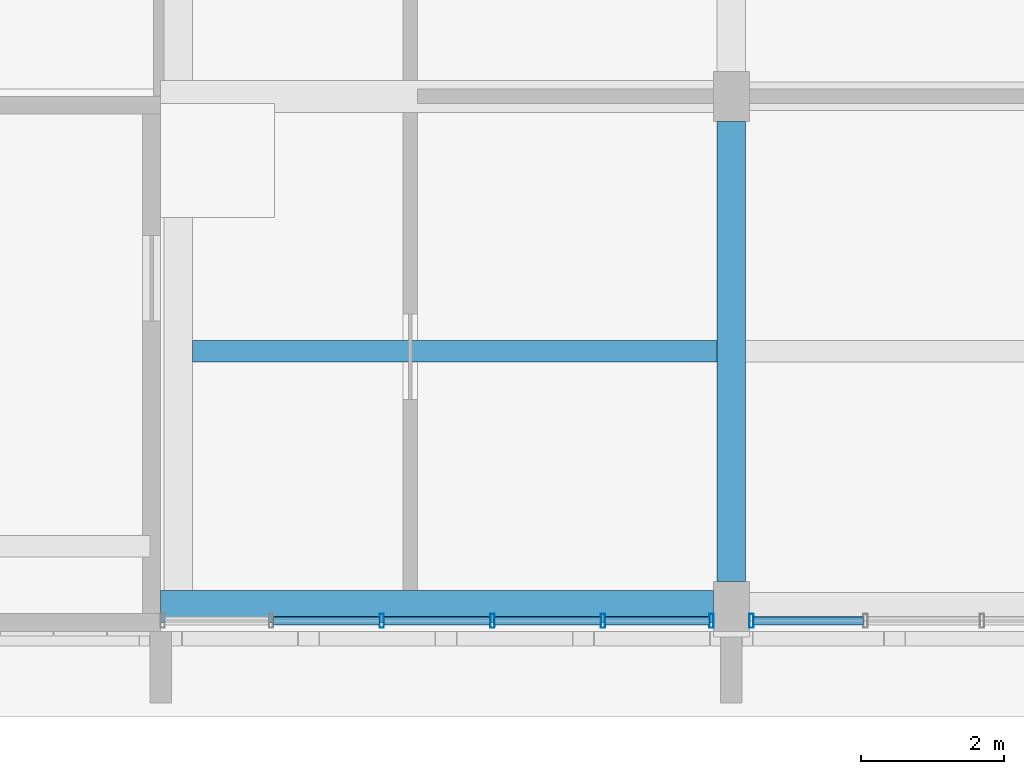
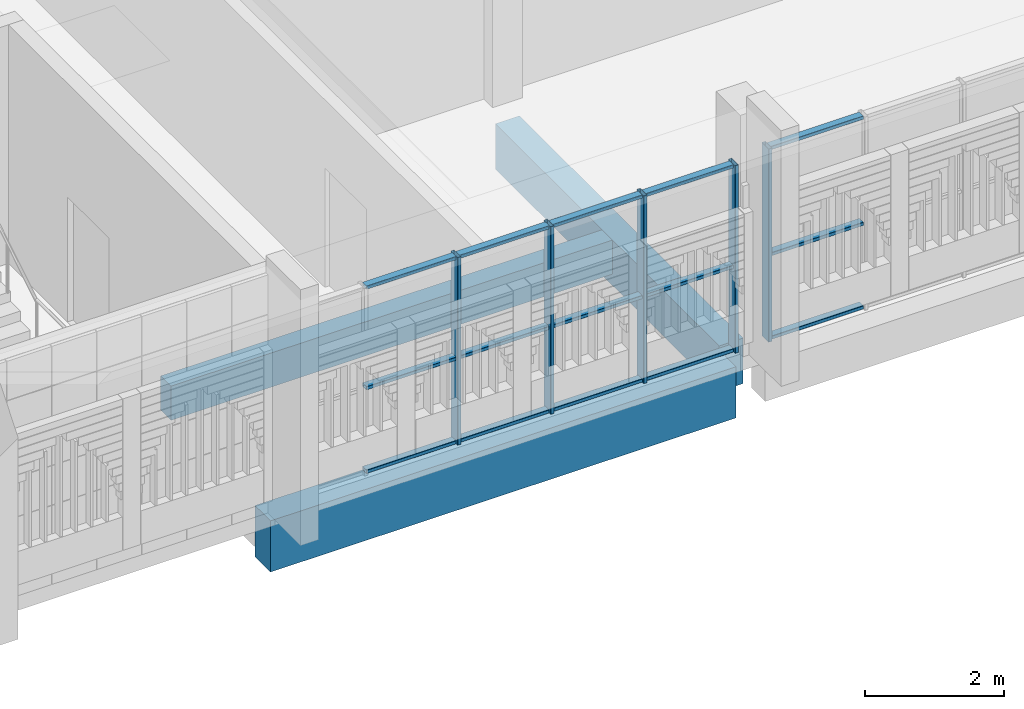
# One storey, part 16 of 98: 20 members, 3 beams, 2 elements without a shape of their own.
"""IFC4 building model written with IfcOpenShell, lengths in metres."""

from ifc_helpers import new_model, si_unit, direction, frame, origin, origin_2d, place, context, subcontext, project, spatial, rectangle, hollow_rectangle, extrude, material, material_profile, profile_set, type_object, element, aggregate, save


model = new_model("IFC4")

# Units and contexts
model_context = context("Model", 3, precision=1e-05, world=origin(), true_north=direction((0.0, 1.0)))
body_context = subcontext(model_context, "Body", "Model", "MODEL_VIEW")
ifc_project = project(units=[si_unit("LENGTHUNIT", "METRE"), si_unit("AREAUNIT", "SQUARE_METRE"), si_unit("VOLUMEUNIT", "CUBIC_METRE"), si_unit("PLANEANGLEUNIT", "RADIAN"), si_unit("MASSUNIT", "GRAM", prefix="KILO")], contexts=[model_context])

# Site, building, storey
site_placement = place(None, origin())
site = spatial("IfcSite", under=ifc_project, at=site_placement, CompositionType="ELEMENT")
building_placement = place(site_placement, origin())
building = spatial("IfcBuilding", under=site, at=building_placement, Name="Sun Court Science Centre", CompositionType="ELEMENT")
storey_placement = place(building_placement, frame((0.0, 0.0, 15.75)))
storey = spatial("IfcBuildingStorey", under=building, at=storey_placement, Name="L03", CompositionType="ELEMENT", Elevation=15.75)

# Curtain wall, member
ifc_material_1 = material(Name="Aluminium EN AW-6063 T6", Category="aluminium")
curtain_wall_type = type_object("IfcCurtainWallType", Name="Laboratory tall bay curtain wall 1500", PredefinedType="NOTDEFINED", material=ifc_material_1)
curtain_wall_1_placement = place(storey_placement, origin())
curtain_wall_1 = element("IfcCurtainWall", 1, at=curtain_wall_1_placement, inside=storey, type_object=curtain_wall_type, Name="Curtain wall V4 S L03 01", PredefinedType="NOTDEFINED")
ifc_material_2 = material(Name="Aluminium EN AW-6063 T6", Category="aluminium")
ifc_material_profile_1 = material_profile(ifc_material_2, hollow_rectangle(XDim=0.06005859375, YDim=0.199951171875, WallThickness=0.0048828125, InnerFilletRadius=0.0048828125, OuterFilletRadius=0.007568359375, at=origin_2d()), Name="AL 60x200x5")
ifc_profile_set_1 = profile_set([ifc_material_profile_1], Name="Aluminium EN AW-6063 T6")
member_type_1 = type_object("IfcMemberType", Name="Curtain wall mullion AL 60x200", PredefinedType="MULLION", material=ifc_profile_set_1)
member_1_placement = place(storey_placement, frame((95.280029296875, 6.14990234375, 0.0), z_axis=(0.0, 0.0, 1.0), x_axis=(-1.0, 0.0, 0.0)))
member_1 = element("IfcMember", 2, at=member_1_placement, type_object=member_type_1, Name="CW2-53 mullion 6", PredefinedType="MULLION", context=body_context, shape_type="SweptSolid", body=[
    extrude(hollow_rectangle(XDim=0.06005859375, YDim=0.199951171875, WallThickness=0.0048828125, InnerFilletRadius=0.0048828125, OuterFilletRadius=0.007568359375, at=origin_2d()), origin(), (0.0, 0.0, 1.0), 3.39990234375),
])

# Curtain wall, members
curtain_wall_2_placement = place(storey_placement, origin())
curtain_wall_2 = element("IfcCurtainWall", 3, at=curtain_wall_2_placement, inside=storey, type_object=curtain_wall_type, Name="Curtain wall V4 S L03 02", PredefinedType="NOTDEFINED")
member_2_placement = place(storey_placement, frame((90.10009765625, 6.14990234375, 0.0), z_axis=(0.0, 0.0, 1.0), x_axis=(-1.0, 0.0, 0.0)))
member_2 = element("IfcMember", 4, at=member_2_placement, type_object=member_type_1, Name="CW2-54 mullion 4", PredefinedType="MULLION", context=body_context, shape_type="SweptSolid", body=[
    extrude(hollow_rectangle(XDim=0.06005859375, YDim=0.199951171875, WallThickness=0.0048828125, InnerFilletRadius=0.0048828125, OuterFilletRadius=0.007568359375, at=origin_2d()), origin(), (0.0, 0.0, 1.0), 3.300048828125),
])
member_3_placement = place(storey_placement, frame((91.64990234375, 6.14990234375, 0.0), z_axis=(0.0, 0.0, 1.0), x_axis=(-1.0, 0.0, 0.0)))
member_3 = element("IfcMember", 5, at=member_3_placement, type_object=member_type_1, Name="CW2-54 mullion 3", PredefinedType="MULLION", context=body_context, shape_type="SweptSolid", body=[
    extrude(hollow_rectangle(XDim=0.06005859375, YDim=0.199951171875, WallThickness=0.0048828125, InnerFilletRadius=0.0048828125, OuterFilletRadius=0.007568359375, at=origin_2d()), origin(), (0.0, 0.0, 1.0), 3.300048828125),
])
member_4_placement = place(storey_placement, frame((93.199951171875, 6.14990234375, 0.0), z_axis=(0.0, 0.0, 1.0), x_axis=(-1.0, 0.0, 0.0)))
member_4 = element("IfcMember", 6, at=member_4_placement, type_object=member_type_1, Name="CW2-54 mullion 2", PredefinedType="MULLION", context=body_context, shape_type="SweptSolid", body=[
    extrude(hollow_rectangle(XDim=0.06005859375, YDim=0.199951171875, WallThickness=0.0048828125, InnerFilletRadius=0.0048828125, OuterFilletRadius=0.007568359375, at=origin_2d()), origin(), (0.0, 0.0, 1.0), 3.300048828125),
])
member_5_placement = place(storey_placement, frame((94.719970703125, 6.14990234375, 0.0), z_axis=(0.0, 0.0, 1.0), x_axis=(-1.0, 0.0, 0.0)))
member_5 = element("IfcMember", 7, at=member_5_placement, type_object=member_type_1, Name="CW2-54 mullion 1", PredefinedType="MULLION", context=body_context, shape_type="SweptSolid", body=[
    extrude(hollow_rectangle(XDim=0.06005859375, YDim=0.199951171875, WallThickness=0.0048828125, InnerFilletRadius=0.0048828125, OuterFilletRadius=0.007568359375, at=origin_2d()), origin(), (0.0, 0.0, 1.0), 3.300048828125),
])

# Member
ifc_material_3 = material(Name="Aluminium EN AW-6063 T6", Category="aluminium")
ifc_material_profile_2 = material_profile(ifc_material_3, hollow_rectangle(XDim=0.06005859375, YDim=0.1201171875, WallThickness=0.00390625, InnerFilletRadius=0.00390625, OuterFilletRadius=0.006103515625, at=origin_2d()), Name="AL 60x120x4")
ifc_profile_set_2 = profile_set([ifc_material_profile_2], Name="Aluminium EN AW-6063 T6")
member_type_2 = type_object("IfcMemberType", Name="Curtain wall transom AL 60x120", PredefinedType="USERDEFINED", material=ifc_profile_set_2)
member_6_placement = place(storey_placement, frame((96.85009765625, 6.14990234375, 0.030029296875), z_axis=(-1.0, 0.0, 0.0), x_axis=(0.0, 0.0, 1.0)))
member_6 = element("IfcMember", 8, at=member_6_placement, type_object=member_type_2, Name="CW2-53 transom 5.1", ObjectType="TRANSOM", PredefinedType="USERDEFINED", context=body_context, shape_type="SweptSolid", body=[
    extrude(hollow_rectangle(XDim=0.06005859375, YDim=0.1201171875, WallThickness=0.00390625, InnerFilletRadius=0.00390625, OuterFilletRadius=0.006103515625, at=origin_2d()), origin(), (0.0, 0.0, 1.0), 1.5400390625),
])

member_7_placement = place(storey_placement, frame((96.85009765625, 6.14990234375, 1.5), z_axis=(-1.0, 0.0, 0.0), x_axis=(0.0, 0.0, 1.0)))
member_7 = element("IfcMember", 9, at=member_7_placement, type_object=member_type_2, Name="CW2-53 transom 5.2", ObjectType="TRANSOM", PredefinedType="USERDEFINED", context=body_context, shape_type="SweptSolid", body=[
    extrude(hollow_rectangle(XDim=0.06005859375, YDim=0.1201171875, WallThickness=0.00390625, InnerFilletRadius=0.00390625, OuterFilletRadius=0.006103515625, at=origin_2d()), origin(), (0.0, 0.0, 1.0), 1.5400390625),
])

member_8_placement = place(storey_placement, frame((96.85009765625, 6.14990234375, 3.3701171875), z_axis=(-1.0, 0.0, 0.0), x_axis=(0.0, 0.0, 1.0)))
member_8 = element("IfcMember", 10, at=member_8_placement, type_object=member_type_2, Name="CW2-53 transom 5.3", ObjectType="TRANSOM", PredefinedType="USERDEFINED", context=body_context, shape_type="SweptSolid", body=[
    extrude(hollow_rectangle(XDim=0.06005859375, YDim=0.1201171875, WallThickness=0.00390625, InnerFilletRadius=0.00390625, OuterFilletRadius=0.006103515625, at=origin_2d()), origin(), (0.0, 0.0, 1.0), 1.5400390625),
])

aggregate(curtain_wall_1, [member_1, member_6, member_7, member_8])

member_9_placement = place(storey_placement, frame((90.070068359375, 6.14990234375, 0.030029296875), z_axis=(-1.0, 0.0, 0.0), x_axis=(0.0, 0.0, 1.0)))
member_9 = element("IfcMember", 11, at=member_9_placement, type_object=member_type_2, Name="CW2-54 transom 4.1", ObjectType="TRANSOM", PredefinedType="USERDEFINED", context=body_context, shape_type="SweptSolid", body=[
    extrude(hollow_rectangle(XDim=0.06005859375, YDim=0.1201171875, WallThickness=0.00390625, InnerFilletRadius=0.00390625, OuterFilletRadius=0.006103515625, at=origin_2d()), origin(), (0.0, 0.0, 1.0), 1.489990234375),
])

member_10_placement = place(storey_placement, frame((91.6201171875, 6.14990234375, 0.030029296875), z_axis=(-1.0, 0.0, 0.0), x_axis=(0.0, 0.0, 1.0)))
member_10 = element("IfcMember", 12, at=member_10_placement, type_object=member_type_2, Name="CW2-54 transom 3.1", ObjectType="TRANSOM", PredefinedType="USERDEFINED", context=body_context, shape_type="SweptSolid", body=[
    extrude(hollow_rectangle(XDim=0.06005859375, YDim=0.1201171875, WallThickness=0.00390625, InnerFilletRadius=0.00390625, OuterFilletRadius=0.006103515625, at=origin_2d()), origin(), (0.0, 0.0, 1.0), 1.490234375),
])

member_11_placement = place(storey_placement, frame((93.169921875, 6.14990234375, 0.030029296875), z_axis=(-1.0, 0.0, 0.0), x_axis=(0.0, 0.0, 1.0)))
member_11 = element("IfcMember", 13, at=member_11_placement, type_object=member_type_2, Name="CW2-54 transom 2.1", ObjectType="TRANSOM", PredefinedType="USERDEFINED", context=body_context, shape_type="SweptSolid", body=[
    extrude(hollow_rectangle(XDim=0.06005859375, YDim=0.1201171875, WallThickness=0.00390625, InnerFilletRadius=0.00390625, OuterFilletRadius=0.006103515625, at=origin_2d()), origin(), (0.0, 0.0, 1.0), 1.489990234375),
])

member_12_placement = place(storey_placement, frame((94.68994140625, 6.14990234375, 0.030029296875), z_axis=(-1.0, 0.0, 0.0), x_axis=(0.0, 0.0, 1.0)))
member_12 = element("IfcMember", 14, at=member_12_placement, type_object=member_type_2, Name="CW2-54 transom 1.1", ObjectType="TRANSOM", PredefinedType="USERDEFINED", context=body_context, shape_type="SweptSolid", body=[
    extrude(hollow_rectangle(XDim=0.06005859375, YDim=0.1201171875, WallThickness=0.00390625, InnerFilletRadius=0.00390625, OuterFilletRadius=0.006103515625, at=origin_2d()), origin(), (0.0, 0.0, 1.0), 1.4599609375),
])

member_13_placement = place(storey_placement, frame((90.070068359375, 6.14990234375, 1.5), z_axis=(-1.0, 0.0, 0.0), x_axis=(0.0, 0.0, 1.0)))
member_13 = element("IfcMember", 15, at=member_13_placement, type_object=member_type_2, Name="CW2-54 transom 4.2", ObjectType="TRANSOM", PredefinedType="USERDEFINED", context=body_context, shape_type="SweptSolid", body=[
    extrude(hollow_rectangle(XDim=0.06005859375, YDim=0.1201171875, WallThickness=0.00390625, InnerFilletRadius=0.00390625, OuterFilletRadius=0.006103515625, at=origin_2d()), origin(), (0.0, 0.0, 1.0), 1.489990234375),
])

member_14_placement = place(storey_placement, frame((91.6201171875, 6.14990234375, 1.5), z_axis=(-1.0, 0.0, 0.0), x_axis=(0.0, 0.0, 1.0)))
member_14 = element("IfcMember", 16, at=member_14_placement, type_object=member_type_2, Name="CW2-54 transom 3.2", ObjectType="TRANSOM", PredefinedType="USERDEFINED", context=body_context, shape_type="SweptSolid", body=[
    extrude(hollow_rectangle(XDim=0.06005859375, YDim=0.1201171875, WallThickness=0.00390625, InnerFilletRadius=0.00390625, OuterFilletRadius=0.006103515625, at=origin_2d()), origin(), (0.0, 0.0, 1.0), 1.490234375),
])

member_15_placement = place(storey_placement, frame((93.169921875, 6.14990234375, 1.5), z_axis=(-1.0, 0.0, 0.0), x_axis=(0.0, 0.0, 1.0)))
member_15 = element("IfcMember", 17, at=member_15_placement, type_object=member_type_2, Name="CW2-54 transom 2.2", ObjectType="TRANSOM", PredefinedType="USERDEFINED", context=body_context, shape_type="SweptSolid", body=[
    extrude(hollow_rectangle(XDim=0.06005859375, YDim=0.1201171875, WallThickness=0.00390625, InnerFilletRadius=0.00390625, OuterFilletRadius=0.006103515625, at=origin_2d()), origin(), (0.0, 0.0, 1.0), 1.489990234375),
])

member_16_placement = place(storey_placement, frame((94.68994140625, 6.14990234375, 1.5), z_axis=(-1.0, 0.0, 0.0), x_axis=(0.0, 0.0, 1.0)))
member_16 = element("IfcMember", 18, at=member_16_placement, type_object=member_type_2, Name="CW2-54 transom 1.2", ObjectType="TRANSOM", PredefinedType="USERDEFINED", context=body_context, shape_type="SweptSolid", body=[
    extrude(hollow_rectangle(XDim=0.06005859375, YDim=0.1201171875, WallThickness=0.00390625, InnerFilletRadius=0.00390625, OuterFilletRadius=0.006103515625, at=origin_2d()), origin(), (0.0, 0.0, 1.0), 1.4599609375),
])

member_17_placement = place(storey_placement, frame((90.070068359375, 6.14990234375, 3.27001953125), z_axis=(-1.0, 0.0, 0.0), x_axis=(0.0, 0.0, 1.0)))
member_17 = element("IfcMember", 19, at=member_17_placement, type_object=member_type_2, Name="CW2-54 transom 4.3", ObjectType="TRANSOM", PredefinedType="USERDEFINED", context=body_context, shape_type="SweptSolid", body=[
    extrude(hollow_rectangle(XDim=0.06005859375, YDim=0.1201171875, WallThickness=0.00390625, InnerFilletRadius=0.00390625, OuterFilletRadius=0.006103515625, at=origin_2d()), origin(), (0.0, 0.0, 1.0), 1.489990234375),
])

member_18_placement = place(storey_placement, frame((91.6201171875, 6.14990234375, 3.27001953125), z_axis=(-1.0, 0.0, 0.0), x_axis=(0.0, 0.0, 1.0)))
member_18 = element("IfcMember", 20, at=member_18_placement, type_object=member_type_2, Name="CW2-54 transom 3.3", ObjectType="TRANSOM", PredefinedType="USERDEFINED", context=body_context, shape_type="SweptSolid", body=[
    extrude(hollow_rectangle(XDim=0.06005859375, YDim=0.1201171875, WallThickness=0.00390625, InnerFilletRadius=0.00390625, OuterFilletRadius=0.006103515625, at=origin_2d()), origin(), (0.0, 0.0, 1.0), 1.490234375),
])

member_19_placement = place(storey_placement, frame((93.169921875, 6.14990234375, 3.27001953125), z_axis=(-1.0, 0.0, 0.0), x_axis=(0.0, 0.0, 1.0)))
member_19 = element("IfcMember", 21, at=member_19_placement, type_object=member_type_2, Name="CW2-54 transom 2.3", ObjectType="TRANSOM", PredefinedType="USERDEFINED", context=body_context, shape_type="SweptSolid", body=[
    extrude(hollow_rectangle(XDim=0.06005859375, YDim=0.1201171875, WallThickness=0.00390625, InnerFilletRadius=0.00390625, OuterFilletRadius=0.006103515625, at=origin_2d()), origin(), (0.0, 0.0, 1.0), 1.489990234375),
])

member_20_placement = place(storey_placement, frame((94.68994140625, 6.14990234375, 3.27001953125), z_axis=(-1.0, 0.0, 0.0), x_axis=(0.0, 0.0, 1.0)))
member_20 = element("IfcMember", 22, at=member_20_placement, type_object=member_type_2, Name="CW2-54 transom 1.3", ObjectType="TRANSOM", PredefinedType="USERDEFINED", context=body_context, shape_type="SweptSolid", body=[
    extrude(hollow_rectangle(XDim=0.06005859375, YDim=0.1201171875, WallThickness=0.00390625, InnerFilletRadius=0.00390625, OuterFilletRadius=0.006103515625, at=origin_2d()), origin(), (0.0, 0.0, 1.0), 1.4599609375),
])

aggregate(curtain_wall_2, [member_2, member_3, member_4, member_5, member_9, member_10, member_11, member_12, member_13, member_14, member_15, member_16, member_17, member_18, member_19, member_20])

# Beams
ifc_material_4 = material(Name="Concrete C25/30", Category="concrete")
ifc_material_profile_3 = material_profile(ifc_material_4, rectangle(XDim=0.39990234375, YDim=0.800048828125, at=origin_2d()), Name="RC 400x800")
ifc_profile_set_3 = profile_set([ifc_material_profile_3], Name="Concrete C25/30")
beam_type_1 = type_object("IfcBeamType", Name="RC girder 400x800", PredefinedType="BEAM", material=ifc_profile_set_3)
beam_1_placement = place(storey_placement, frame((95.0, 6.699951171875, -0.699951171875), z_axis=(0.0, 1.0, 0.0), x_axis=(-1.0, 0.0, 0.0)))
element("IfcBeam", 23, at=beam_1_placement, inside=storey, type_object=beam_type_1, Name="Girder L03 line 3", PredefinedType="BEAM", context=body_context, shape_type="SweptSolid", body=[
    extrude(rectangle(XDim=0.39990234375, YDim=0.800048828125, at=origin_2d()), origin(), (0.0, 0.0, 1.0), 6.449951171875),
])
ifc_material_5 = material(Name="Concrete C25/30", Category="concrete")
ifc_material_profile_4 = material_profile(ifc_material_5, rectangle(XDim=0.449951171875, YDim=0.89990234375, at=origin_2d()), Name="RC 450x900")
ifc_profile_set_4 = profile_set([ifc_material_profile_4], Name="Concrete C25/30")
beam_type_2 = type_object("IfcBeamType", Name="RC girder 450x900", PredefinedType="BEAM", material=ifc_profile_set_4)
beam_2_placement = place(storey_placement, frame((87.0, 6.35009765625, -0.75), z_axis=(1.0, 0.0, 0.0), x_axis=(0.0, 1.0, 0.0)))
element("IfcBeam", 24, at=beam_2_placement, inside=storey, type_object=beam_type_2, Name="Girder L03 row 1", PredefinedType="BEAM", context=body_context, shape_type="SweptSolid", body=[
    extrude(rectangle(XDim=0.449951171875, YDim=0.89990234375, at=origin_2d()), origin(), (0.0, 0.0, 1.0), 7.75),
])
ifc_material_6 = material(Name="Concrete C25/30", Category="concrete")
ifc_material_profile_5 = material_profile(ifc_material_6, rectangle(XDim=0.300048828125, YDim=0.60009765625, at=origin_2d()), Name="RC 300x600")
ifc_profile_set_5 = profile_set([ifc_material_profile_5], Name="Concrete C25/30")
beam_type_3 = type_object("IfcBeamType", Name="RC joist 300x600", PredefinedType="JOIST", material=ifc_profile_set_5)
beam_3_placement = place(storey_placement, frame((87.449951171875, 9.925048828125, -0.60009765625), z_axis=(1.0, 0.0, 0.0), x_axis=(0.0, 1.0, 0.0)))
element("IfcBeam", 25, at=beam_3_placement, inside=storey, type_object=beam_type_3, Name="Joist L03", PredefinedType="JOIST", context=body_context, shape_type="SweptSolid", body=[
    extrude(rectangle(XDim=0.300048828125, YDim=0.60009765625, at=origin_2d()), origin(), (0.0, 0.0, 1.0), 7.35009765625),
])

save(model, "model.ifc")
